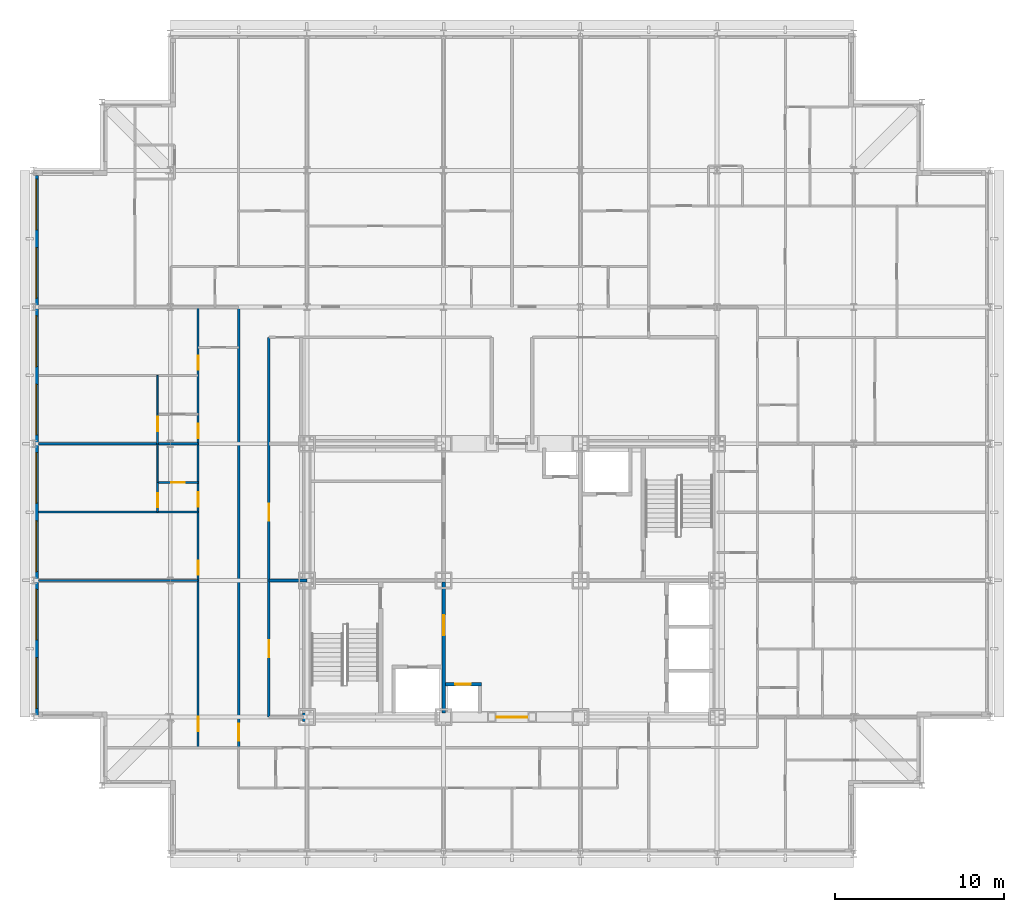
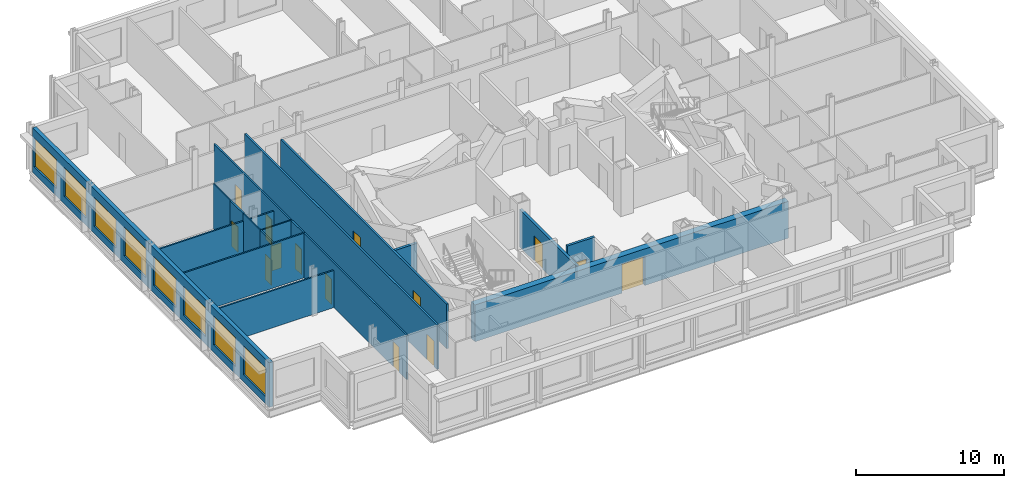
# One storey, part 8 of 15: 16 walls, 14 doors, 8 windows, 22 openings.
"""IFC4 building model written with IfcOpenShell, lengths in metres."""

import ifcopenshell
import ifcopenshell.guid

model = None  # the IFC model being written
_history = None  # IfcOwnerHistory: only IFC2X3 demands one
_inside = {}  # id of a spatial element -> (the spatial element, [elements in it])
_under = {}  # id of a project, library or spatial element -> (it, [spatial elements below it])
_declared = {}  # id of a project -> (the project, [libraries it declares])
_typed = {}  # id of a type object -> (the type object, [elements of that type])
_made_of = {}  # id of a material, layer set ... -> (it, [elements and type objects made of it])


def new_model(schema):
    """Start an empty IFC model of exactly this schema.

    Asked for "IFC4X3", IfcOpenShell would pick the latest addendum, in which some entities
    have other attributes; the version numbers below select the first issue.
    IFC2X3 requires an IfcOwnerHistory on every rooted entity: one is made here for all.
    """
    global model, _history
    if schema == "IFC4X3":
        model = ifcopenshell.file(schema_version=(4, 3, 0, 0))
    else:
        model = ifcopenshell.file(schema=schema)
    _inside.clear()
    _under.clear()
    _declared.clear()
    _typed.clear()
    _made_of.clear()
    _history = None
    if model.schema == "IFC2X3":
        org = make("IfcOrganization", Name="unknown")
        user = make(
            "IfcPersonAndOrganization",
            ThePerson=make("IfcPerson", FamilyName="unknown"),
            TheOrganization=org,
        )
        app = make(
            "IfcApplication",
            ApplicationDeveloper=org,
            Version="unknown",
            ApplicationFullName="unknown",
            ApplicationIdentifier="unknown",
        )
        _history = make(
            "IfcOwnerHistory",
            OwningUser=user,
            OwningApplication=app,
            ChangeAction="ADDED",
            CreationDate=0,
        )
    return model


def make(cls, **values):
    """One entity of the class cls with the attributes given. An attribute that is None is left unset."""
    return model.create_entity(
        cls, **{name: value for name, value in values.items() if value is not None}
    )


def rooted(cls, **values):
    """An entity with a GlobalId (a new one), such as an element, a storey or a relation."""
    return make(cls, GlobalId=ifcopenshell.guid.new(), OwnerHistory=_history, **values)


def si_unit(unit_type, name, prefix=None):
    """IfcSIUnit, for example si_unit("LENGTHUNIT", "METRE", prefix="MILLI")."""
    return make("IfcSIUnit", UnitType=unit_type, Prefix=prefix, Name=name)


def assignment(units):
    """IfcUnitAssignment: the units of a project."""
    return None if units is None else make("IfcUnitAssignment", Units=units)


def point(xyz):
    """IfcCartesianPoint."""
    return None if xyz is None else make("IfcCartesianPoint", Coordinates=xyz)


def direction(xyz):
    """IfcDirection."""
    return None if xyz is None else make("IfcDirection", DirectionRatios=xyz)


def frame(location, z_axis=None, x_axis=None):
    """IfcAxis2Placement3D, a coordinate frame: its origin and axes. An axis left out is left unset."""
    return make(
        "IfcAxis2Placement3D",
        Location=point(location),
        Axis=direction(z_axis),
        RefDirection=direction(x_axis),
    )


def frame_2d(location, x_axis=None):
    """IfcAxis2Placement2D, a coordinate frame in the plane: its origin and x axis."""
    return make(
        "IfcAxis2Placement2D", Location=point(location), RefDirection=direction(x_axis)
    )


def origin():
    """The frame at (0, 0, 0) with its axes left unset."""
    return frame((0.0, 0.0, 0.0))


def place(relative_to, where):
    """IfcLocalPlacement: puts the frame where relative to a parent placement (None: the world)."""
    return make(
        "IfcLocalPlacement", PlacementRelTo=relative_to, RelativePlacement=where
    )


def context(
    kind, dimensions, precision=None, world=None, true_north=None, identifier=None
):
    """IfcGeometricRepresentationContext, for example the 3D "Model" context."""
    return make(
        "IfcGeometricRepresentationContext",
        ContextIdentifier=identifier,
        ContextType=kind,
        CoordinateSpaceDimension=dimensions,
        Precision=precision,
        WorldCoordinateSystem=world,
        TrueNorth=true_north,
    )


def subcontext(parent, identifier, kind, view, scale=None):
    """IfcGeometricRepresentationSubContext, for example "Body" below "Model"."""
    return make(
        "IfcGeometricRepresentationSubContext",
        ContextIdentifier=identifier,
        ContextType=kind,
        ParentContext=parent,
        TargetScale=scale,
        TargetView=view,
    )


def project(units=None, contexts=None):
    """IfcProject with its units and contexts."""
    return rooted(
        "IfcProject",
        Name="project",
        RepresentationContexts=contexts,
        UnitsInContext=assignment(units),
    )


def spatial(cls, under=None, at=None, **own):
    """A site, building, storey or space (cls), placed at a placement, below another one or the project."""
    s = rooted(cls, ObjectPlacement=at, **own)
    if under is not None:
        _under.setdefault(under.id(), (under, []))[1].append(s)
    return s


def profile(cls, at=None, kind="AREA", **sizes):
    """A parametric profile (cls). Its sizes go by their IFC names, for example OverallWidth=200.0."""
    return make(cls, ProfileType=kind, Position=at, **sizes)


def rectangle(**sizes):
    """IfcRectangleProfileDef."""
    return profile("IfcRectangleProfileDef", **sizes)


def extrude(swept, where, along, depth):
    """IfcExtrudedAreaSolid: the profile swept, set in the frame where, extruded along a direction by depth."""
    return make(
        "IfcExtrudedAreaSolid",
        SweptArea=swept,
        Position=where,
        ExtrudedDirection=direction(along),
        Depth=depth,
    )


def shape(context_of_items, identifier, shape_type, items):
    """IfcShapeRepresentation: the items that make up one representation, for example the "Body"."""
    return make(
        "IfcShapeRepresentation",
        ContextOfItems=context_of_items,
        RepresentationIdentifier=identifier,
        RepresentationType=shape_type,
        Items=items,
    )


def material(Name=None, Category=None):
    """IfcMaterial."""
    return make("IfcMaterial", Name=Name, Category=Category)


def layer(
    of_material, thickness, ventilated=None, Name=None, Category=None, Priority=None
):
    """IfcMaterialLayer: one layer of a wall or slab, of a material (None: an air gap)."""
    return make(
        "IfcMaterialLayer",
        Material=of_material,
        LayerThickness=thickness,
        IsVentilated=ventilated,
        Name=Name,
        Category=Category,
        Priority=Priority,
    )


def layer_set(layers, Name=None):
    """IfcMaterialLayerSet."""
    return make("IfcMaterialLayerSet", MaterialLayers=layers, LayerSetName=Name)


def made_of(thing, what):
    """Note that an element or type object is made of a material, layer set ...; save() writes the relation."""
    if what is not None:
        _made_of.setdefault(what.id(), (what, []))[1].append(thing)
    return thing


def type_object(cls, material=None, **own):
    """A type object (cls), such as IfcWallType, which elements share."""
    return made_of(rooted(cls, **own), material)


def element(
    cls,
    number,
    at=None,
    inside=None,
    cuts=None,
    type_object=None,
    material=None,
    context=None,
    identifier="Body",
    shape_type=None,
    held_by="IfcProductDefinitionShape",
    body=None,
    shapes=None,
    **own,
):
    """One element of the class cls, such as IfcWall. Its Tag is "e" and its number.

    at: its placement. inside: the storey or other place that contains it. cuts: it is an
    opening in that element (IfcRelVoidsElement). A single representation is given by context,
    identifier, shape_type and body (its items); several are given by shapes. held_by: the class
    of the entity that holds the representations. save() writes the other relations.
    """
    e = rooted(cls, Tag="e%d" % number, ObjectPlacement=at, **own)
    if body is not None:
        shapes = [shape(context, identifier, shape_type, body)]
    if shapes is not None:
        e.Representation = make(held_by, Representations=shapes)
    if inside is not None:
        _inside.setdefault(inside.id(), (inside, []))[1].append(e)
    if cuts is not None:
        rooted(
            "IfcRelVoidsElement", RelatingBuildingElement=cuts, RelatedOpeningElement=e
        )
    if type_object is not None:
        _typed.setdefault(type_object.id(), (type_object, []))[1].append(e)
    return made_of(e, material)


def fill(opening, filler):
    """IfcRelFillsElement: the door or window that sits in an opening."""
    return rooted(
        "IfcRelFillsElement",
        RelatingOpeningElement=opening,
        RelatedBuildingElement=filler,
    )


def aggregate(whole, parts):
    """IfcRelAggregates: a whole, such as a stair, and the parts it consists of."""
    return rooted("IfcRelAggregates", RelatingObject=whole, RelatedObjects=parts)


def save(model, path):
    """Write the relations noted so far, then the file.

    IfcRelAggregates (storeys below a building ...), IfcRelContainedInSpatialStructure (elements
    in a storey), IfcRelDefinesByType, IfcRelAssociatesMaterial and IfcRelDeclares: one each for
    every whole, place, type object, material and project.
    """
    for whole, parts in _under.values():
        aggregate(whole, parts)
    for where, things in _inside.values():
        rooted(
            "IfcRelContainedInSpatialStructure",
            RelatedElements=things,
            RelatingStructure=where,
        )
    for kind, things in _typed.values():
        rooted("IfcRelDefinesByType", RelatedObjects=things, RelatingType=kind)
    for what, things in _made_of.values():
        rooted("IfcRelAssociatesMaterial", RelatedObjects=things, RelatingMaterial=what)
    for by, libraries in _declared.values():
        rooted("IfcRelDeclares", RelatingContext=by, RelatedDefinitions=libraries)
    model.write(path)


model = new_model("IFC4")

# Units and contexts
model_context = context("Model", 3, precision=1e-05, world=origin(), true_north=direction((0.0, 1.0)))
body_context = subcontext(model_context, "Body", "Model", "MODEL_VIEW")
ifc_project = project(units=[si_unit("LENGTHUNIT", "METRE"), si_unit("AREAUNIT", "SQUARE_METRE"), si_unit("VOLUMEUNIT", "CUBIC_METRE"), si_unit("PLANEANGLEUNIT", "RADIAN"), si_unit("MASSUNIT", "GRAM", prefix="KILO")], contexts=[model_context])

# Site, building, storey
site_placement = place(None, origin())
site = spatial("IfcSite", under=ifc_project, at=site_placement, CompositionType="ELEMENT")
building_placement = place(site_placement, origin())
building = spatial("IfcBuilding", under=site, at=building_placement, Name="Kopane Lantern Tower", CompositionType="ELEMENT")
storey_placement = place(building_placement, frame((0.0, 0.0, 289.199951171875)))
storey = spatial("IfcBuildingStorey", under=building, at=storey_placement, Name="L74", CompositionType="ELEMENT", Elevation=289.199951171875)

# Wall, openings, doors
ifc_material_1 = material(Name="Gypsum board on steel studs", Category="steel")
ifc_layer_1 = layer(ifc_material_1, 0.1201171875)
ifc_layer_set_1 = layer_set([ifc_layer_1], Name="APARTMENT INTERNAL WALL 120")
wall_type_1 = type_object("IfcWallType", Name="APARTMENT INTERNAL WALL 120", PredefinedType="PARTITIONING", material=ifc_layer_set_1)
wall_1_placement = place(storey_placement, frame((9.75, 22.5, 0.0), z_axis=(0.0, 0.0, 1.0), x_axis=(0.0, 1.0, 0.0)))
wall_1 = element("IfcWall", 1, at=wall_1_placement, inside=storey, type_object=wall_type_1, Name="Apartment Internal Wall 120 L74", PredefinedType="PARTITIONING", context=body_context, shape_type="SweptSolid", body=[
    extrude(rectangle(XDim=26.10009765625, YDim=0.1201171875, at=frame_2d((13.050048828125, 0.0))), origin(), (0.0, 0.0, 1.0), 3.68994140625),
])
opening_1_placement = place(wall_1_placement, frame((0.97509765625, 0.0, 0.0)))
opening_1 = element("IfcOpeningElement", 2, at=opening_1_placement, cuts=wall_1, Name="Opening L74-023", PredefinedType="OPENING", context=body_context, shape_type="SweptSolid", body=[
    extrude(rectangle(XDim=0.85009765625, YDim=2.10009765625, at=frame_2d((0.425048828125, 1.050048828125))), frame((0.0, 0.070068359375, 0.0), z_axis=(0.0, -1.0, 0.0), x_axis=(1.0, 0.0, 0.0)), (0.0, 0.0, 1.0), 0.14013671875),
])
opening_2_placement = place(wall_1_placement, frame((10.22509765625, 0.0, 0.0)))
opening_2 = element("IfcOpeningElement", 3, at=opening_2_placement, cuts=wall_1, Name="Opening L74-024", PredefinedType="OPENING", context=body_context, shape_type="SweptSolid", body=[
    extrude(rectangle(XDim=0.85009765625, YDim=2.10009765625, at=frame_2d((0.425048828125, 1.050048828125))), frame((0.0, 0.070068359375, 0.0), z_axis=(0.0, -1.0, 0.0), x_axis=(1.0, 0.0, 0.0)), (0.0, 0.0, 1.0), 0.14013671875),
])
opening_3_placement = place(wall_1_placement, frame((14.27490234375, 0.0, 0.0)))
opening_3 = element("IfcOpeningElement", 4, at=opening_3_placement, cuts=wall_1, Name="Opening L74-026", PredefinedType="OPENING", context=body_context, shape_type="SweptSolid", body=[
    extrude(rectangle(XDim=0.85009765625, YDim=2.10009765625, at=frame_2d((0.425048828125, 1.050048828125))), frame((0.0, 0.070068359375, 0.0), z_axis=(0.0, -1.0, 0.0), x_axis=(1.0, 0.0, 0.0)), (0.0, 0.0, 1.0), 0.14013671875),
])
opening_4_placement = place(wall_1_placement, frame((18.324951171875, 0.0, 0.0)))
opening_4 = element("IfcOpeningElement", 5, at=opening_4_placement, cuts=wall_1, Name="Opening L74-028", PredefinedType="OPENING", context=body_context, shape_type="SweptSolid", body=[
    extrude(rectangle(XDim=0.85009765625, YDim=2.10009765625, at=frame_2d((0.425048828125, 1.050048828125))), frame((0.0, 0.070068359375, 0.0), z_axis=(0.0, -1.0, 0.0), x_axis=(1.0, 0.0, 0.0)), (0.0, 0.0, 1.0), 0.14013671875),
])
opening_5_placement = place(wall_1_placement, frame((22.375, 0.0, 0.0)))
opening_5 = element("IfcOpeningElement", 6, at=opening_5_placement, cuts=wall_1, Name="Opening L74-029", PredefinedType="OPENING", context=body_context, shape_type="SweptSolid", body=[
    extrude(rectangle(XDim=0.85009765625, YDim=2.10009765625, at=frame_2d((0.425048828125, 1.050048828125))), frame((0.0, 0.070068359375, 0.0), z_axis=(0.0, -1.0, 0.0), x_axis=(1.0, 0.0, 0.0)), (0.0, 0.0, 1.0), 0.14013671875),
])
ifc_material_2 = material(Name="Timber door set", Category="wood")
door_type_1 = type_object("IfcDoorType", Name="DOOR D4 850x2100", OperationType="SINGLE_SWING_LEFT", PredefinedType="DOOR", material=ifc_material_2)
door_1_placement = place(opening_1_placement, origin())
door_1 = element("IfcDoor", 7, at=door_1_placement, inside=storey, type_object=door_type_1, Name="Door L74-023", OperationType="SINGLE_SWING_RIGHT", OverallHeight=2.10009765625, OverallWidth=0.85009765625, PredefinedType="DOOR", context=body_context, shape_type="SweptSolid", body=[
    extrude(rectangle(XDim=0.85009765625, YDim=2.10009765625, at=frame_2d((0.425048828125, 1.050048828125))), frame((0.0, 0.02490234375, 0.0), z_axis=(0.0, -1.0, 0.0), x_axis=(1.0, 0.0, 0.0)), (0.0, 0.0, 1.0), 0.050048828125),
])
fill(opening_1, door_1)
door_2_placement = place(opening_2_placement, origin())
door_2 = element("IfcDoor", 8, at=door_2_placement, inside=storey, type_object=door_type_1, Name="Door L74-024", OperationType="SINGLE_SWING_LEFT", OverallHeight=2.10009765625, OverallWidth=0.85009765625, PredefinedType="DOOR", context=body_context, shape_type="SweptSolid", body=[
    extrude(rectangle(XDim=0.85009765625, YDim=2.10009765625, at=frame_2d((0.425048828125, 1.050048828125))), frame((0.0, 0.02490234375, 0.0), z_axis=(0.0, -1.0, 0.0), x_axis=(1.0, 0.0, 0.0)), (0.0, 0.0, 1.0), 0.050048828125),
])
fill(opening_2, door_2)
door_3_placement = place(opening_3_placement, origin())
door_3 = element("IfcDoor", 9, at=door_3_placement, inside=storey, type_object=door_type_1, Name="Door L74-026", OperationType="SINGLE_SWING_LEFT", OverallHeight=2.10009765625, OverallWidth=0.85009765625, PredefinedType="DOOR", context=body_context, shape_type="SweptSolid", body=[
    extrude(rectangle(XDim=0.85009765625, YDim=2.10009765625, at=frame_2d((0.425048828125, 1.050048828125))), frame((0.0, 0.02490234375, 0.0), z_axis=(0.0, -1.0, 0.0), x_axis=(1.0, 0.0, 0.0)), (0.0, 0.0, 1.0), 0.050048828125),
])
fill(opening_3, door_3)
door_4_placement = place(opening_4_placement, origin())
door_4 = element("IfcDoor", 10, at=door_4_placement, inside=storey, type_object=door_type_1, Name="Door L74-028", OperationType="SINGLE_SWING_LEFT", OverallHeight=2.10009765625, OverallWidth=0.85009765625, PredefinedType="DOOR", context=body_context, shape_type="SweptSolid", body=[
    extrude(rectangle(XDim=0.85009765625, YDim=2.10009765625, at=frame_2d((0.425048828125, 1.050048828125))), frame((0.0, 0.02490234375, 0.0), z_axis=(0.0, -1.0, 0.0), x_axis=(1.0, 0.0, 0.0)), (0.0, 0.0, 1.0), 0.050048828125),
])
fill(opening_4, door_4)
door_5_placement = place(opening_5_placement, origin())
door_5 = element("IfcDoor", 11, at=door_5_placement, inside=storey, type_object=door_type_1, Name="Door L74-029", OperationType="SINGLE_SWING_LEFT", OverallHeight=2.10009765625, OverallWidth=0.85009765625, PredefinedType="DOOR", context=body_context, shape_type="SweptSolid", body=[
    extrude(rectangle(XDim=0.85009765625, YDim=2.10009765625, at=frame_2d((0.425048828125, 1.050048828125))), frame((0.0, 0.02490234375, 0.0), z_axis=(0.0, -1.0, 0.0), x_axis=(1.0, 0.0, 0.0)), (0.0, 0.0, 1.0), 0.050048828125),
])
fill(opening_5, door_5)

# Walls
wall_2_placement = place(storey_placement, frame((9.75, 32.39990234375, 0.0), z_axis=(0.0, 0.0, 1.0), x_axis=(-1.0, 0.0, 0.0)))
element("IfcWall", 12, at=wall_2_placement, inside=storey, type_object=wall_type_1, Name="Apartment Internal Wall 120 L74", PredefinedType="PARTITIONING", context=body_context, shape_type="SweptSolid", body=[
    extrude(rectangle(XDim=9.449951171875, YDim=0.1201171875, at=frame_2d((4.72509765625, 0.0))), origin(), (0.0, 0.0, 1.0), 3.077880859375),
])
wall_3_placement = place(storey_placement, frame((9.75, 36.449951171875, 0.0), z_axis=(0.0, 0.0, 1.0), x_axis=(-1.0, 0.0, 0.0)))
element("IfcWall", 13, at=wall_3_placement, inside=storey, type_object=wall_type_1, Name="Apartment Internal Wall 120 L74", PredefinedType="PARTITIONING", context=body_context, shape_type="SweptSolid", body=[
    extrude(rectangle(XDim=9.449951171875, YDim=0.1201171875, at=frame_2d((4.72509765625, 0.0))), origin(), (0.0, 0.0, 1.0), 3.68994140625),
])
wall_4_placement = place(storey_placement, frame((9.75, 40.5, 0.0), z_axis=(0.0, 0.0, 1.0), x_axis=(-1.0, 0.0, 0.0)))
element("IfcWall", 14, at=wall_4_placement, inside=storey, type_object=wall_type_1, Name="Apartment Internal Wall 120 L74", PredefinedType="PARTITIONING", context=body_context, shape_type="SweptSolid", body=[
    extrude(rectangle(XDim=9.449951171875, YDim=0.1201171875, at=frame_2d((4.72509765625, 0.0))), origin(), (0.0, 0.0, 1.0), 3.077880859375),
])

# Wall, opening, door
wall_5_placement = place(storey_placement, frame((7.35009765625, 36.449951171875, 0.0), z_axis=(0.0, 0.0, 1.0), x_axis=(0.0, 1.0, 0.0)))
wall_5 = element("IfcWall", 15, at=wall_5_placement, inside=storey, type_object=wall_type_1, Name="Apartment Internal Wall 120 L74", PredefinedType="PARTITIONING", context=body_context, shape_type="SweptSolid", body=[
    extrude(rectangle(XDim=1.760009765625, YDim=0.1201171875, at=frame_2d((0.8798828125, 0.0))), origin(), (0.0, 0.0, 1.0), 3.68994140625),
])
opening_6_placement = place(wall_5_placement, frame((0.27490234375, 0.0, 0.0)))
opening_6 = element("IfcOpeningElement", 16, at=opening_6_placement, cuts=wall_5, Name="Opening L74-054", PredefinedType="OPENING", context=body_context, shape_type="SweptSolid", body=[
    extrude(rectangle(XDim=0.85009765625, YDim=2.10009765625, at=frame_2d((0.425048828125, 1.050048828125))), frame((0.0, 0.070068359375, 0.0), z_axis=(0.0, -1.0, 0.0), x_axis=(1.0, 0.0, 0.0)), (0.0, 0.0, 1.0), 0.14013671875),
])
door_6_placement = place(opening_6_placement, origin())
door_6 = element("IfcDoor", 17, at=door_6_placement, inside=storey, type_object=door_type_1, Name="Door L74-054", OperationType="SINGLE_SWING_LEFT", OverallHeight=2.10009765625, OverallWidth=0.85009765625, PredefinedType="DOOR", context=body_context, shape_type="SweptSolid", body=[
    extrude(rectangle(XDim=0.85009765625, YDim=2.10009765625, at=frame_2d((0.425048828125, 1.050048828125))), frame((0.0, 0.02490234375, 0.0), z_axis=(0.0, -1.0, 0.0), x_axis=(1.0, 0.0, 0.0)), (0.0, 0.0, 1.0), 0.050048828125),
])
fill(opening_6, door_6)

wall_6_placement = place(storey_placement, frame((7.35009765625, 40.5, 0.0), z_axis=(0.0, 0.0, 1.0), x_axis=(0.0, 1.0, 0.0)))
wall_6 = element("IfcWall", 18, at=wall_6_placement, inside=storey, type_object=wall_type_1, Name="Apartment Internal Wall 120 L74", PredefinedType="PARTITIONING", context=body_context, shape_type="SweptSolid", body=[
    extrude(rectangle(XDim=1.760009765625, YDim=0.1201171875, at=frame_2d((0.8798828125, 0.0))), origin(), (0.0, 0.0, 1.0), 3.68994140625),
])
opening_7_placement = place(wall_6_placement, frame((0.75, 0.0, 0.0)))
opening_7 = element("IfcOpeningElement", 19, at=opening_7_placement, cuts=wall_6, Name="Opening L74-055", PredefinedType="OPENING", context=body_context, shape_type="SweptSolid", body=[
    extrude(rectangle(XDim=0.85009765625, YDim=2.10009765625, at=frame_2d((0.425048828125, 1.050048828125))), frame((0.0, 0.070068359375, 0.0), z_axis=(0.0, -1.0, 0.0), x_axis=(1.0, 0.0, 0.0)), (0.0, 0.0, 1.0), 0.14013671875),
])
door_7_placement = place(opening_7_placement, origin())
door_7 = element("IfcDoor", 20, at=door_7_placement, inside=storey, type_object=door_type_1, Name="Door L74-055", OperationType="SINGLE_SWING_LEFT", OverallHeight=2.10009765625, OverallWidth=0.85009765625, PredefinedType="DOOR", context=body_context, shape_type="SweptSolid", body=[
    extrude(rectangle(XDim=0.85009765625, YDim=2.10009765625, at=frame_2d((0.425048828125, 1.050048828125))), frame((0.0, 0.02490234375, 0.0), z_axis=(0.0, -1.0, 0.0), x_axis=(1.0, 0.0, 0.0)), (0.0, 0.0, 1.0), 0.050048828125),
])
fill(opening_7, door_7)

ifc_material_3 = material(Name="Moisture-resistant board on steel studs", Category="steel")
ifc_layer_2 = layer(ifc_material_3, 0.10009765625)
ifc_layer_set_2 = layer_set([ifc_layer_2], Name="BATHROOM WALL 100")
wall_type_2 = type_object("IfcWallType", Name="BATHROOM WALL 100", PredefinedType="PARTITIONING", material=ifc_layer_set_2)
wall_7_placement = place(storey_placement, frame((9.75, 38.199951171875, 0.0), z_axis=(0.0, 0.0, 1.0), x_axis=(-1.0, 0.0, 0.0)))
wall_7 = element("IfcWall", 21, at=wall_7_placement, inside=storey, type_object=wall_type_2, Name="Bathroom Wall 100 L74", PredefinedType="PARTITIONING", context=body_context, shape_type="SweptSolid", body=[
    extrude(rectangle(XDim=2.39990234375, YDim=0.10009765625, at=frame_2d((1.199951171875, 0.0))), origin(), (0.0, 0.0, 1.0), 3.68994140625),
])
opening_8_placement = place(wall_7_placement, frame((0.800048828125, 0.0, 0.0)))
opening_8 = element("IfcOpeningElement", 22, at=opening_8_placement, cuts=wall_7, Name="Opening L74-025", PredefinedType="OPENING", context=body_context, shape_type="SweptSolid", body=[
    extrude(rectangle(XDim=0.800048828125, YDim=2.10009765625, at=frame_2d((0.39990234375, 1.050048828125))), frame((0.0, 0.06005859375, 0.0), z_axis=(0.0, -1.0, 0.0), x_axis=(1.0, 0.0, 0.0)), (0.0, 0.0, 1.0), 0.1201171875),
])
ifc_material_4 = material(Name="Timber door set", Category="wood")
door_type_2 = type_object("IfcDoorType", Name="DOOR D2 800x2100", OperationType="SINGLE_SWING_LEFT", PredefinedType="DOOR", material=ifc_material_4)
door_8_placement = place(opening_8_placement, origin())
door_8 = element("IfcDoor", 23, at=door_8_placement, inside=storey, type_object=door_type_2, Name="Door L74-025", OperationType="SINGLE_SWING_RIGHT", OverallHeight=2.10009765625, OverallWidth=0.800048828125, PredefinedType="DOOR", context=body_context, shape_type="SweptSolid", body=[
    extrude(rectangle(XDim=0.800048828125, YDim=2.10009765625, at=frame_2d((0.39990234375, 1.050048828125))), frame((0.0, 0.02490234375, 0.0), z_axis=(0.0, -1.0, 0.0), x_axis=(1.0, 0.0, 0.0)), (0.0, 0.0, 1.0), 0.050048828125),
])
fill(opening_8, door_8)

# Walls
for number, where, z_axis, x_axis, name in (
    (24, (7.35009765625, 38.199951171875, 0.0), (0.0, 0.0, 1.0), (0.0, 1.0, 0.0), "Bathroom Wall 100 L74"),
    (25, (7.35009765625, 42.25, 0.0), (0.0, 0.0, 1.0), (0.0, 1.0, 0.0), "Bathroom Wall 100 L74"),
):
    element("IfcWall", number, at=place(storey_placement, frame(where, z_axis=z_axis, x_axis=x_axis)), inside=storey, type_object=wall_type_2, Name=name, PredefinedType="PARTITIONING", context=body_context, shape_type="SweptSolid", body=[
        extrude(rectangle(XDim=2.300048828125, YDim=0.10009765625, at=frame_2d((1.14990234375, 0.0))), origin(), (0.0, 0.0, 1.0), 3.68994140625),
    ])

# Wall, opening, door
ifc_material_5 = material(Name="Gypsum shaft wall EI 120", Category="gypsum")
ifc_layer_3 = layer(ifc_material_5, 0.5)
ifc_layer_set_3 = layer_set([ifc_layer_3], Name="CORE PERIMETER WALL 500 EI 120")
wall_type_3 = type_object("IfcWallType", Name="CORE PERIMETER WALL 500 EI 120", PredefinedType="SOLIDWALL", material=ifc_layer_set_3)
wall_8_placement = place(storey_placement, frame((15.949951171875, 24.300048828125, 0.0), z_axis=(0.0, 0.0, 1.0), x_axis=(1.0, 0.0, 0.0)))
wall_8 = element("IfcWall", 26, at=wall_8_placement, inside=storey, type_object=wall_type_3, Name="Core shaft wall L74 PS", PredefinedType="SOLIDWALL", context=body_context, shape_type="SweptSolid", body=[
    extrude(rectangle(XDim=24.550048828125, YDim=0.5, at=frame_2d((12.27490234375, 0.0))), origin(), (0.0, 0.0, 1.0), 3.0400390625),
])
opening_9_placement = place(wall_8_placement, frame((11.5, 0.0, 0.0)))
opening_9 = element("IfcOpeningElement", 27, at=opening_9_placement, cuts=wall_8, Name="Opening 74.CE-S", PredefinedType="OPENING", context=body_context, shape_type="SweptSolid", body=[
    extrude(rectangle(XDim=1.800048828125, YDim=2.39990234375, at=frame_2d((0.89990234375, 1.199951171875))), frame((0.0, 0.260009765625, 0.0), z_axis=(0.0, -1.0, 0.0), x_axis=(1.0, 0.0, 0.0)), (0.0, 0.0, 1.0), 0.52001953125),
])
ifc_material_6 = material(Name="Steel door set", Category="steel")
door_type_3 = type_object("IfcDoorType", Name="CORE ENTRY DOOR 1800x2400 FD60S", OperationType="DOUBLE_DOOR_SINGLE_SWING", PredefinedType="DOOR", material=ifc_material_6)
door_9_placement = place(opening_9_placement, origin())
door_9 = element("IfcDoor", 28, at=door_9_placement, inside=storey, type_object=door_type_3, Name="Core entry door L74 south", OperationType="DOUBLE_DOOR_SINGLE_SWING", OverallHeight=2.39990234375, OverallWidth=1.800048828125, PredefinedType="DOOR", context=body_context, shape_type="SweptSolid", body=[
    extrude(rectangle(XDim=1.800048828125, YDim=2.39990234375, at=frame_2d((0.89990234375, 1.199951171875))), frame((0.0, 0.02490234375, 0.0), z_axis=(0.0, -1.0, 0.0), x_axis=(1.0, 0.0, 0.0)), (0.0, 0.0, 1.0), 0.050048828125),
])
fill(opening_9, door_9)

ifc_material_7 = material(Name="Gypsum board on steel studs", Category="steel")
ifc_layer_4 = layer(ifc_material_7, 0.14990234375)
ifc_layer_set_4 = layer_set([ifc_layer_4], Name="CORRIDOR WALL 150 EI 60")
wall_type_4 = type_object("IfcWallType", Name="CORRIDOR WALL 150 EI 60", PredefinedType="PARTITIONING", material=ifc_layer_set_4)
wall_9_placement = place(storey_placement, frame((12.14990234375, 22.5, 0.0), z_axis=(0.0, 0.0, 1.0), x_axis=(0.0, 1.0, 0.0)))
wall_9 = element("IfcWall", 29, at=wall_9_placement, inside=storey, type_object=wall_type_4, Name="Corridor Wall 150 Ei 60 L74", PredefinedType="PARTITIONING", context=body_context, shape_type="SweptSolid", body=[
    extrude(rectangle(XDim=26.10009765625, YDim=0.14990234375, at=frame_2d((13.050048828125, 0.0))), origin(), (0.0, 0.0, 1.0), 3.68994140625),
])
opening_10_placement = place(wall_9_placement, frame((0.39990234375, 0.0, 0.0)))
opening_10 = element("IfcOpeningElement", 30, at=opening_10_placement, cuts=wall_9, Name="Opening L74-022", PredefinedType="OPENING", context=body_context, shape_type="SweptSolid", body=[
    extrude(rectangle(XDim=1.0, YDim=2.10009765625, at=frame_2d((0.5, 1.050048828125))), frame((0.0, 0.0849609375, 0.0), z_axis=(0.0, -1.0, 0.0), x_axis=(1.0, 0.0, 0.0)), (0.0, 0.0, 1.0), 0.169921875),
])
ifc_material_8 = material(Name="Steel door set", Category="steel")
door_type_4 = type_object("IfcDoorType", Name="DOOR D3 1000x2100 FD30S", OperationType="SINGLE_SWING_LEFT", PredefinedType="DOOR", material=ifc_material_8)
door_10_placement = place(opening_10_placement, origin())
door_10 = element("IfcDoor", 31, at=door_10_placement, inside=storey, type_object=door_type_4, Name="Door L74-022", OperationType="SINGLE_SWING_LEFT", OverallHeight=2.10009765625, OverallWidth=1.0, PredefinedType="DOOR", context=body_context, shape_type="SweptSolid", body=[
    extrude(rectangle(XDim=1.0, YDim=2.10009765625, at=frame_2d((0.5, 1.050048828125))), frame((0.0, 0.02490234375, 0.0), z_axis=(0.0, -1.0, 0.0), x_axis=(1.0, 0.0, 0.0)), (0.0, 0.0, 1.0), 0.050048828125),
])
fill(opening_10, door_10)

# Wall, openings, doors
wall_10_placement = place(storey_placement, frame((13.949951171875, 24.300048828125, 0.0), z_axis=(0.0, 0.0, 1.0), x_axis=(0.0, 1.0, 0.0)))
wall_10 = element("IfcWall", 32, at=wall_10_placement, inside=storey, type_object=wall_type_4, Name="Corridor Wall 150 Ei 60 L74", PredefinedType="PARTITIONING", context=body_context, shape_type="SweptSolid", body=[
    extrude(rectangle(XDim=22.5, YDim=0.14990234375, at=frame_2d((11.25, 0.0))), origin(), (0.0, 0.0, 1.0), 3.68994140625),
])
opening_11_placement = place(wall_10_placement, frame((3.550048828125, 0.0, 0.0)))
opening_11 = element("IfcOpeningElement", 33, at=opening_11_placement, cuts=wall_10, Name="Opening L74-001", PredefinedType="OPENING", context=body_context, shape_type="SweptSolid", body=[
    extrude(rectangle(XDim=1.0, YDim=2.10009765625, at=frame_2d((0.5, 1.050048828125))), frame((0.0, 0.0849609375, 0.0), z_axis=(0.0, -1.0, 0.0), x_axis=(1.0, 0.0, 0.0)), (0.0, 0.0, 1.0), 0.169921875),
])
opening_12_placement = place(wall_10_placement, frame((11.64990234375, 0.0, 0.0)))
opening_12 = element("IfcOpeningElement", 34, at=opening_12_placement, cuts=wall_10, Name="Opening L74-002", PredefinedType="OPENING", context=body_context, shape_type="SweptSolid", body=[
    extrude(rectangle(XDim=1.0, YDim=2.10009765625, at=frame_2d((0.5, 1.050048828125))), frame((0.0, 0.0849609375, 0.0), z_axis=(0.0, -1.0, 0.0), x_axis=(1.0, 0.0, 0.0)), (0.0, 0.0, 1.0), 0.169921875),
])
ifc_material_9 = material(Name="Steel door set", Category="steel")
door_type_5 = type_object("IfcDoorType", Name="DOOR D5 1000x2100 FD60", OperationType="SINGLE_SWING_LEFT", PredefinedType="DOOR", material=ifc_material_9)
door_11_placement = place(opening_11_placement, origin())
door_11 = element("IfcDoor", 35, at=door_11_placement, inside=storey, type_object=door_type_5, Name="Door L74-001", OperationType="SINGLE_SWING_RIGHT", OverallHeight=2.10009765625, OverallWidth=1.0, PredefinedType="DOOR", context=body_context, shape_type="SweptSolid", body=[
    extrude(rectangle(XDim=1.0, YDim=2.10009765625, at=frame_2d((0.5, 1.050048828125))), frame((0.0, 0.02490234375, 0.0), z_axis=(0.0, -1.0, 0.0), x_axis=(1.0, 0.0, 0.0)), (0.0, 0.0, 1.0), 0.050048828125),
])
fill(opening_11, door_11)
door_12_placement = place(opening_12_placement, origin())
door_12 = element("IfcDoor", 36, at=door_12_placement, inside=storey, type_object=door_type_5, Name="Door L74-002", OperationType="SINGLE_SWING_LEFT", OverallHeight=2.10009765625, OverallWidth=1.0, PredefinedType="DOOR", context=body_context, shape_type="SweptSolid", body=[
    extrude(rectangle(XDim=1.0, YDim=2.10009765625, at=frame_2d((0.5, 1.050048828125))), frame((0.0, 0.02490234375, 0.0), z_axis=(0.0, -1.0, 0.0), x_axis=(1.0, 0.0, 0.0)), (0.0, 0.0, 1.0), 0.050048828125),
])
fill(opening_12, door_12)

# Wall, openings, windows
ifc_material_10 = material(Name="Terracotta rainscreen on light steel framing", Category="masonry")
ifc_layer_5 = layer(ifc_material_10, 0.300048828125)
ifc_layer_set_5 = layer_set([ifc_layer_5], Name="EXTERNAL WALL EW1 300 TERRACOTTA")
wall_type_5 = type_object("IfcWallType", Name="EXTERNAL WALL EW1 300 TERRACOTTA", PredefinedType="SOLIDWALL", material=ifc_layer_set_5)
wall_11_placement = place(storey_placement, frame((0.14990234375, 56.39990234375, 0.0), z_axis=(0.0, 0.0, 1.0), x_axis=(0.0, -1.0, 0.0)))
wall_11 = element("IfcWall", 37, at=wall_11_placement, inside=storey, type_object=wall_type_5, Name="External wall W L74", PredefinedType="SOLIDWALL", context=body_context, shape_type="SweptSolid", body=[
    extrude(rectangle(XDim=32.099853515625, YDim=0.300048828125, at=frame_2d((16.0498046875, 0.0))), origin(), (0.0, 0.0, 1.0), 3.68994140625),
])
opening_13_placement = place(wall_11_placement, frame((0.22509765625, 0.0, 0.60009765625)))
opening_13 = element("IfcOpeningElement", 38, at=opening_13_placement, cuts=wall_11, Name="Opening WR300240", PredefinedType="OPENING", context=body_context, shape_type="SweptSolid", body=[
    extrude(rectangle(XDim=3.0, YDim=2.39990234375, at=frame_2d((1.5, 1.199951171875))), frame((0.0, 0.159912109375, 0.0), z_axis=(0.0, -1.0, 0.0), x_axis=(1.0, 0.0, 0.0)), (0.0, 0.0, 1.0), 0.320068359375),
])
opening_14_placement = place(wall_11_placement, frame((4.27490234375, 0.0, 0.60009765625)))
opening_14 = element("IfcOpeningElement", 39, at=opening_14_placement, cuts=wall_11, Name="Opening WR300240", PredefinedType="OPENING", context=body_context, shape_type="SweptSolid", body=[
    extrude(rectangle(XDim=3.0, YDim=2.39990234375, at=frame_2d((1.5, 1.199951171875))), frame((0.0, 0.159912109375, 0.0), z_axis=(0.0, -1.0, 0.0), x_axis=(1.0, 0.0, 0.0)), (0.0, 0.0, 1.0), 0.320068359375),
])
opening_15_placement = place(wall_11_placement, frame((8.324951171875, 0.0, 0.60009765625)))
opening_15 = element("IfcOpeningElement", 40, at=opening_15_placement, cuts=wall_11, Name="Opening WR300240", PredefinedType="OPENING", context=body_context, shape_type="SweptSolid", body=[
    extrude(rectangle(XDim=3.0, YDim=2.39990234375, at=frame_2d((1.5, 1.199951171875))), frame((0.0, 0.159912109375, 0.0), z_axis=(0.0, -1.0, 0.0), x_axis=(1.0, 0.0, 0.0)), (0.0, 0.0, 1.0), 0.320068359375),
])
opening_16_placement = place(wall_11_placement, frame((12.375, 0.0, 0.60009765625)))
opening_16 = element("IfcOpeningElement", 41, at=opening_16_placement, cuts=wall_11, Name="Opening WR300240", PredefinedType="OPENING", context=body_context, shape_type="SweptSolid", body=[
    extrude(rectangle(XDim=3.0, YDim=2.39990234375, at=frame_2d((1.5, 1.199951171875))), frame((0.0, 0.159912109375, 0.0), z_axis=(0.0, -1.0, 0.0), x_axis=(1.0, 0.0, 0.0)), (0.0, 0.0, 1.0), 0.320068359375),
])
opening_17_placement = place(wall_11_placement, frame((16.425048828125, 0.0, 0.60009765625)))
opening_17 = element("IfcOpeningElement", 42, at=opening_17_placement, cuts=wall_11, Name="Opening WR300240", PredefinedType="OPENING", context=body_context, shape_type="SweptSolid", body=[
    extrude(rectangle(XDim=3.0, YDim=2.39990234375, at=frame_2d((1.5, 1.199951171875))), frame((0.0, 0.159912109375, 0.0), z_axis=(0.0, -1.0, 0.0), x_axis=(1.0, 0.0, 0.0)), (0.0, 0.0, 1.0), 0.320068359375),
])
opening_18_placement = place(wall_11_placement, frame((20.47509765625, 0.0, 0.60009765625)))
opening_18 = element("IfcOpeningElement", 43, at=opening_18_placement, cuts=wall_11, Name="Opening WR300240", PredefinedType="OPENING", context=body_context, shape_type="SweptSolid", body=[
    extrude(rectangle(XDim=3.0, YDim=2.39990234375, at=frame_2d((1.5, 1.199951171875))), frame((0.0, 0.159912109375, 0.0), z_axis=(0.0, -1.0, 0.0), x_axis=(1.0, 0.0, 0.0)), (0.0, 0.0, 1.0), 0.320068359375),
])
opening_19_placement = place(wall_11_placement, frame((24.52490234375, 0.0, 0.60009765625)))
opening_19 = element("IfcOpeningElement", 44, at=opening_19_placement, cuts=wall_11, Name="Opening WR300240", PredefinedType="OPENING", context=body_context, shape_type="SweptSolid", body=[
    extrude(rectangle(XDim=3.0, YDim=2.39990234375, at=frame_2d((1.5, 1.199951171875))), frame((0.0, 0.159912109375, 0.0), z_axis=(0.0, -1.0, 0.0), x_axis=(1.0, 0.0, 0.0)), (0.0, 0.0, 1.0), 0.320068359375),
])
opening_20_placement = place(wall_11_placement, frame((28.574951171875, 0.0, 0.60009765625)))
opening_20 = element("IfcOpeningElement", 45, at=opening_20_placement, cuts=wall_11, Name="Opening WR300240", PredefinedType="OPENING", context=body_context, shape_type="SweptSolid", body=[
    extrude(rectangle(XDim=3.0, YDim=2.39990234375, at=frame_2d((1.5, 1.199951171875))), frame((0.0, 0.159912109375, 0.0), z_axis=(0.0, -1.0, 0.0), x_axis=(1.0, 0.0, 0.0)), (0.0, 0.0, 1.0), 0.320068359375),
])
ifc_material_11 = material(Name="Aluminium and clear glass", Category="aluminium")
window_type = type_object("IfcWindowType", Name="RIBBON WINDOW WR300240 3000x2400", PartitioningType="SINGLE_PANEL", PredefinedType="WINDOW", material=ifc_material_11)
window_1_placement = place(opening_13_placement, origin())
window_1 = element("IfcWindow", 46, at=window_1_placement, inside=storey, type_object=window_type, Name="Window W L74", OverallHeight=2.39990234375, OverallWidth=3.0, PartitioningType="SINGLE_PANEL", PredefinedType="WINDOW", context=body_context, shape_type="SweptSolid", body=[
    extrude(rectangle(XDim=3.0, YDim=2.39990234375, at=frame_2d((1.5, 1.199951171875))), frame((0.0, 0.030029296875, 0.0), z_axis=(0.0, -1.0, 0.0), x_axis=(1.0, 0.0, 0.0)), (0.0, 0.0, 1.0), 0.06005859375),
])
fill(opening_13, window_1)
window_2_placement = place(opening_14_placement, origin())
window_2 = element("IfcWindow", 47, at=window_2_placement, inside=storey, type_object=window_type, Name="Window W L74", OverallHeight=2.39990234375, OverallWidth=3.0, PartitioningType="SINGLE_PANEL", PredefinedType="WINDOW", context=body_context, shape_type="SweptSolid", body=[
    extrude(rectangle(XDim=3.0, YDim=2.39990234375, at=frame_2d((1.5, 1.199951171875))), frame((0.0, 0.030029296875, 0.0), z_axis=(0.0, -1.0, 0.0), x_axis=(1.0, 0.0, 0.0)), (0.0, 0.0, 1.0), 0.06005859375),
])
fill(opening_14, window_2)
window_3_placement = place(opening_15_placement, origin())
window_3 = element("IfcWindow", 48, at=window_3_placement, inside=storey, type_object=window_type, Name="Window W L74", OverallHeight=2.39990234375, OverallWidth=3.0, PartitioningType="SINGLE_PANEL", PredefinedType="WINDOW", context=body_context, shape_type="SweptSolid", body=[
    extrude(rectangle(XDim=3.0, YDim=2.39990234375, at=frame_2d((1.5, 1.199951171875))), frame((0.0, 0.030029296875, 0.0), z_axis=(0.0, -1.0, 0.0), x_axis=(1.0, 0.0, 0.0)), (0.0, 0.0, 1.0), 0.06005859375),
])
fill(opening_15, window_3)
window_4_placement = place(opening_16_placement, origin())
window_4 = element("IfcWindow", 49, at=window_4_placement, inside=storey, type_object=window_type, Name="Window W L74", OverallHeight=2.39990234375, OverallWidth=3.0, PartitioningType="SINGLE_PANEL", PredefinedType="WINDOW", context=body_context, shape_type="SweptSolid", body=[
    extrude(rectangle(XDim=3.0, YDim=2.39990234375, at=frame_2d((1.5, 1.199951171875))), frame((0.0, 0.030029296875, 0.0), z_axis=(0.0, -1.0, 0.0), x_axis=(1.0, 0.0, 0.0)), (0.0, 0.0, 1.0), 0.06005859375),
])
fill(opening_16, window_4)
window_5_placement = place(opening_17_placement, origin())
window_5 = element("IfcWindow", 50, at=window_5_placement, inside=storey, type_object=window_type, Name="Window W L74", OverallHeight=2.39990234375, OverallWidth=3.0, PartitioningType="SINGLE_PANEL", PredefinedType="WINDOW", context=body_context, shape_type="SweptSolid", body=[
    extrude(rectangle(XDim=3.0, YDim=2.39990234375, at=frame_2d((1.5, 1.199951171875))), frame((0.0, 0.030029296875, 0.0), z_axis=(0.0, -1.0, 0.0), x_axis=(1.0, 0.0, 0.0)), (0.0, 0.0, 1.0), 0.06005859375),
])
fill(opening_17, window_5)
window_6_placement = place(opening_18_placement, origin())
window_6 = element("IfcWindow", 51, at=window_6_placement, inside=storey, type_object=window_type, Name="Window W L74", OverallHeight=2.39990234375, OverallWidth=3.0, PartitioningType="SINGLE_PANEL", PredefinedType="WINDOW", context=body_context, shape_type="SweptSolid", body=[
    extrude(rectangle(XDim=3.0, YDim=2.39990234375, at=frame_2d((1.5, 1.199951171875))), frame((0.0, 0.030029296875, 0.0), z_axis=(0.0, -1.0, 0.0), x_axis=(1.0, 0.0, 0.0)), (0.0, 0.0, 1.0), 0.06005859375),
])
fill(opening_18, window_6)
window_7_placement = place(opening_19_placement, origin())
window_7 = element("IfcWindow", 52, at=window_7_placement, inside=storey, type_object=window_type, Name="Window W L74", OverallHeight=2.39990234375, OverallWidth=3.0, PartitioningType="SINGLE_PANEL", PredefinedType="WINDOW", context=body_context, shape_type="SweptSolid", body=[
    extrude(rectangle(XDim=3.0, YDim=2.39990234375, at=frame_2d((1.5, 1.199951171875))), frame((0.0, 0.030029296875, 0.0), z_axis=(0.0, -1.0, 0.0), x_axis=(1.0, 0.0, 0.0)), (0.0, 0.0, 1.0), 0.06005859375),
])
fill(opening_19, window_7)
window_8_placement = place(opening_20_placement, origin())
window_8 = element("IfcWindow", 53, at=window_8_placement, inside=storey, type_object=window_type, Name="Window W L74", OverallHeight=2.39990234375, OverallWidth=3.0, PartitioningType="SINGLE_PANEL", PredefinedType="WINDOW", context=body_context, shape_type="SweptSolid", body=[
    extrude(rectangle(XDim=3.0, YDim=2.39990234375, at=frame_2d((1.5, 1.199951171875))), frame((0.0, 0.030029296875, 0.0), z_axis=(0.0, -1.0, 0.0), x_axis=(1.0, 0.0, 0.0)), (0.0, 0.0, 1.0), 0.06005859375),
])
fill(opening_20, window_8)

# Wall
ifc_material_12 = material(Name="Concrete masonry", Category="masonry")
ifc_layer_6 = layer(ifc_material_12, 0.199951171875)
ifc_layer_set_6 = layer_set([ifc_layer_6], Name="PLANT ROOM WALL 200 EI 120")
wall_type_6 = type_object("IfcWallType", Name="PLANT ROOM WALL 200 EI 120", PredefinedType="SOLIDWALL", material=ifc_layer_set_6)
wall_12_placement = place(storey_placement, frame((13.949951171875, 32.39990234375, 0.0), z_axis=(0.0, 0.0, 1.0), x_axis=(1.0, 0.0, 0.0)))
element("IfcWall", 54, at=wall_12_placement, inside=storey, type_object=wall_type_6, Name="Plant Room Wall 200 Ei 120 L74", PredefinedType="SOLIDWALL", context=body_context, shape_type="SweptSolid", body=[
    extrude(rectangle(XDim=2.25, YDim=0.199951171875, at=frame_2d((1.125, 0.0))), origin(), (0.0, 0.0, 1.0), 3.077880859375),
])

# Wall, opening, door
ifc_material_13 = material(Name="Gypsum shaft wall EI 120", Category="gypsum")
ifc_layer_7 = layer(ifc_material_13, 0.199951171875)
ifc_layer_set_7 = layer_set([ifc_layer_7], Name="SHAFT WALL 200 EI 120")
wall_type_7 = type_object("IfcWallType", Name="SHAFT WALL 200 EI 120", PredefinedType="SOLIDWALL", material=ifc_layer_set_7)
wall_13_placement = place(storey_placement, frame((24.300048828125, 24.550048828125, 0.0), z_axis=(0.0, 0.0, 1.0), x_axis=(0.0, 1.0, 0.0)))
wall_13 = element("IfcWall", 55, at=wall_13_placement, inside=storey, type_object=wall_type_7, Name="Core shaft wall L74 X243", PredefinedType="SOLIDWALL", context=body_context, shape_type="SweptSolid", body=[
    extrude(rectangle(XDim=7.75, YDim=0.199951171875, at=frame_2d((3.875, 0.0))), origin(), (0.0, 0.0, 1.0), 3.077880859375),
])
opening_21_placement = place(wall_13_placement, frame((4.60009765625, 0.0, 0.0)))
opening_21 = element("IfcOpeningElement", 56, at=opening_21_placement, cuts=wall_13, Name="Opening 74.FL1", PredefinedType="OPENING", context=body_context, shape_type="SweptSolid", body=[
    extrude(rectangle(XDim=1.199951171875, YDim=2.10009765625, at=frame_2d((0.60009765625, 1.050048828125))), frame((0.0, 0.10986328125, 0.0), z_axis=(0.0, -1.0, 0.0), x_axis=(1.0, 0.0, 0.0)), (0.0, 0.0, 1.0), 0.219970703125),
])
ifc_material_14 = material(Name="Steel door set", Category="steel")
door_type_6 = type_object("IfcDoorType", Name="FIREFIGHTING LOBBY DOOR 1200x2100 FD60S", OperationType="SINGLE_SWING_RIGHT", PredefinedType="DOOR", material=ifc_material_14)
door_13_placement = place(opening_21_placement, origin())
door_13 = element("IfcDoor", 57, at=door_13_placement, inside=storey, type_object=door_type_6, Name="Firefighting lobby door FL1 L74", OperationType="SINGLE_SWING_LEFT", OverallHeight=2.10009765625, OverallWidth=1.199951171875, PredefinedType="DOOR", context=body_context, shape_type="SweptSolid", body=[
    extrude(rectangle(XDim=1.199951171875, YDim=2.10009765625, at=frame_2d((0.60009765625, 1.050048828125))), frame((0.0, 0.02490234375, 0.0), z_axis=(0.0, -1.0, 0.0), x_axis=(1.0, 0.0, 0.0)), (0.0, 0.0, 1.0), 0.050048828125),
])
fill(opening_21, door_13)

wall_14_placement = place(storey_placement, frame((24.39990234375, 26.25, 0.0), z_axis=(0.0, 0.0, 1.0), x_axis=(1.0, 0.0, 0.0)))
wall_14 = element("IfcWall", 58, at=wall_14_placement, inside=storey, type_object=wall_type_7, Name="Core shaft wall L74 YRS1", PredefinedType="SOLIDWALL", context=body_context, shape_type="SweptSolid", body=[
    extrude(rectangle(XDim=2.150146484375, YDim=0.199951171875, at=frame_2d((1.0751953125, 0.0))), origin(), (0.0, 0.0, 1.0), 3.68994140625),
])
opening_22_placement = place(wall_14_placement, frame((0.60009765625, 0.0, 0.0)))
opening_22 = element("IfcOpeningElement", 59, at=opening_22_placement, cuts=wall_14, Name="Opening 74.RS1", PredefinedType="OPENING", context=body_context, shape_type="SweptSolid", body=[
    extrude(rectangle(XDim=0.89990234375, YDim=2.10009765625, at=frame_2d((0.449951171875, 1.050048828125))), frame((0.0, 0.10986328125, 0.0), z_axis=(0.0, -1.0, 0.0), x_axis=(1.0, 0.0, 0.0)), (0.0, 0.0, 1.0), 0.219970703125),
])
ifc_material_15 = material(Name="Steel door set", Category="steel")
door_type_7 = type_object("IfcDoorType", Name="RISER ACCESS DOOR 900x2100 FD60", OperationType="SINGLE_SWING_LEFT", PredefinedType="DOOR", material=ifc_material_15)
door_14_placement = place(opening_22_placement, origin())
door_14 = element("IfcDoor", 60, at=door_14_placement, inside=storey, type_object=door_type_7, Name="Riser access door RS1 L74", OperationType="SINGLE_SWING_LEFT", OverallHeight=2.10009765625, OverallWidth=0.89990234375, PredefinedType="DOOR", context=body_context, shape_type="SweptSolid", body=[
    extrude(rectangle(XDim=0.89990234375, YDim=2.10009765625, at=frame_2d((0.449951171875, 1.050048828125))), frame((0.0, 0.02490234375, 0.0), z_axis=(0.0, -1.0, 0.0), x_axis=(1.0, 0.0, 0.0)), (0.0, 0.0, 1.0), 0.050048828125),
])
fill(opening_22, door_14)

save(model, "model.ifc")
